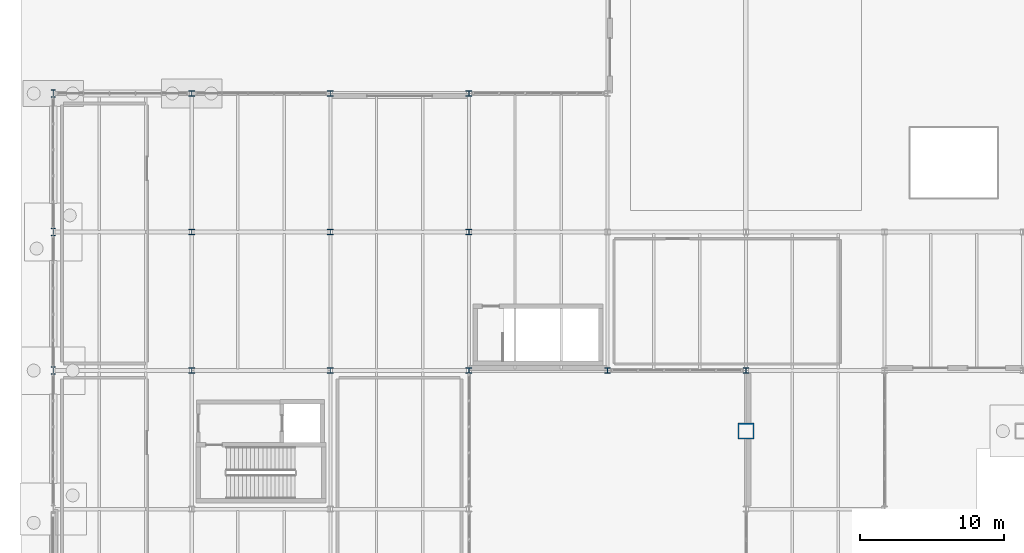
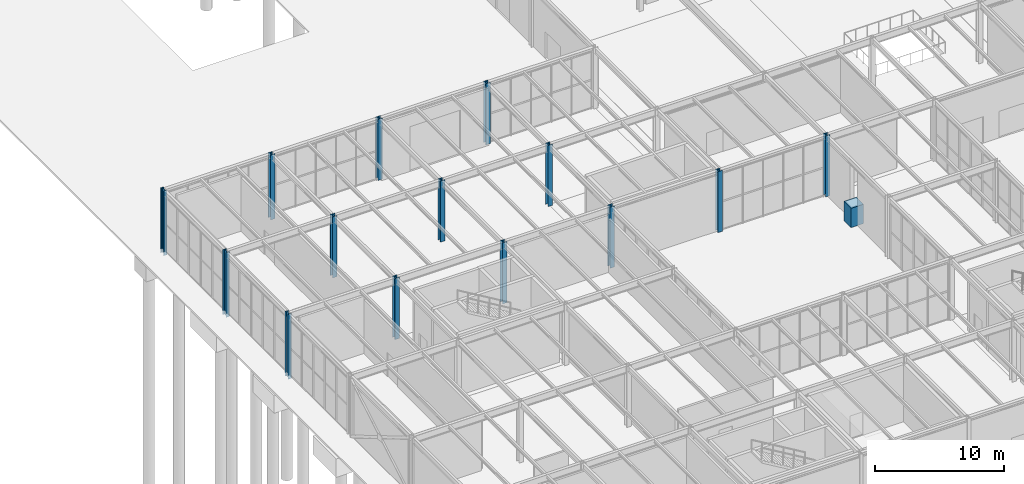
# One storey, part 9 of 142: 15 columns.
"""IFC4 building model written with IfcOpenShell, lengths in metres."""

from ifc_helpers import new_model, si_unit, direction, frame, origin, origin_2d, place, context, subcontext, project, spatial, rectangle, i_section, extrude, material, material_profile, profile_set, type_object, element, save


model = new_model("IFC4")

# Units and contexts
model_context = context("Model", 3, precision=1e-05, world=origin(), true_north=direction((0.0, 1.0)))
body_context = subcontext(model_context, "Body", "Model", "MODEL_VIEW")
ifc_project = project(units=[si_unit("LENGTHUNIT", "METRE"), si_unit("AREAUNIT", "SQUARE_METRE"), si_unit("VOLUMEUNIT", "CUBIC_METRE"), si_unit("PLANEANGLEUNIT", "RADIAN"), si_unit("MASSUNIT", "GRAM", prefix="KILO")], contexts=[model_context])

# Site, building, storey
site_placement = place(None, origin())
site = spatial("IfcSite", under=ifc_project, at=site_placement, CompositionType="ELEMENT")
building_placement = place(site_placement, origin())
building = spatial("IfcBuilding", under=site, at=building_placement, Name="Coralgate Yard Interchange", CompositionType="ELEMENT")
storey_placement = place(building_placement, origin())
storey = spatial("IfcBuildingStorey", under=building, at=storey_placement, Name="L00", CompositionType="ELEMENT", Elevation=0.0)

# Columns
ifc_material_1 = material(Name="Concrete C40/50", Category="concrete")
ifc_material_profile_1 = material_profile(ifc_material_1, rectangle(XDim=1.10009765625, YDim=1.10009765625, at=origin_2d()), Name="RC 1100x1100")
ifc_profile_set_1 = profile_set([ifc_material_profile_1], Name="Concrete C40/50")
column_type_1 = type_object("IfcColumnType", Name="COL-CC-1", PredefinedType="COLUMN", material=ifc_profile_set_1)
column_1_placement = place(storey_placement, frame((48.0, 34.199951171875, 0.0), z_axis=(0.0, 0.0, 1.0), x_axis=(1.0, 0.0, 0.0)))
element("IfcColumn", 1, at=column_1_placement, inside=storey, type_object=column_type_1, Name="Arch AR-1 S concrete thrust pedestal", PredefinedType="COLUMN", context=body_context, shape_type="SweptSolid", body=[
    extrude(rectangle(XDim=1.10009765625, YDim=1.10009765625, at=origin_2d()), origin(), (0.0, 0.0, 1.0), 1.820068359375),
])
ifc_material_2 = material(Name="Structural steel S355J2", Category="steel")
ifc_material_profile_2 = material_profile(ifc_material_2, i_section(OverallWidth=0.39892578125, OverallDepth=0.3935546875, WebThickness=0.022705078125, FlangeThickness=0.03662109375, FilletRadius=0.01513671875, at=origin_2d()), Name="UC 356x406x287")
ifc_profile_set_2 = profile_set([ifc_material_profile_2], Name="Structural steel S355J2")
column_type_2 = type_object("IfcColumnType", Name="COL-SC-1", PredefinedType="COLUMN", material=ifc_profile_set_2)
for number, where, z_axis, x_axis, name in (
    (2, (9.60009765625, 38.39990234375, 0.0), (0.0, 0.0, 1.0), (1.0, 0.0, 0.0), "L00 structural column 1-4"),
    (3, (9.60009765625, 48.0, 0.0), (0.0, 0.0, 1.0), (1.0, 0.0, 0.0), "L00 structural column 1-5"),
):
    element("IfcColumn", number, at=place(storey_placement, frame(where, z_axis=z_axis, x_axis=x_axis)), inside=storey, type_object=column_type_2, Name=name, PredefinedType="COLUMN", context=body_context, shape_type="SweptSolid", body=[
        extrude(i_section(OverallWidth=0.39892578125, OverallDepth=0.3935546875, WebThickness=0.022705078125, FlangeThickness=0.03662109375, FilletRadius=0.01513671875, at=origin_2d()), origin(), (0.0, 0.0, 1.0), 5.75),
    ])
column_2_placement = place(storey_placement, frame((9.60009765625, 57.60009765625, -0.360107421875), z_axis=(0.0, 0.0, 1.0), x_axis=(1.0, 0.0, 0.0)))
element("IfcColumn", 4, at=column_2_placement, inside=storey, type_object=column_type_2, Name="L00 structural column 1-6", PredefinedType="COLUMN", context=body_context, shape_type="SweptSolid", body=[
    extrude(i_section(OverallWidth=0.39892578125, OverallDepth=0.3935546875, WebThickness=0.022705078125, FlangeThickness=0.03662109375, FilletRadius=0.01513671875, at=origin_2d()), origin(), (0.0, 0.0, 1.0), 6.110107421875),
])
for number, where, z_axis, x_axis, name in (
    (5, (19.199951171875, 38.39990234375, 0.0), (0.0, 0.0, 1.0), (1.0, 0.0, 0.0), "L00 structural column 2-4"),
    (6, (19.199951171875, 48.0, 0.0), (0.0, 0.0, 1.0), (1.0, 0.0, 0.0), "L00 structural column 2-5"),
    (7, (19.199951171875, 57.60009765625, 0.0), (0.0, 0.0, 1.0), (1.0, 0.0, 0.0), "L00 structural column 2-6"),
    (8, (28.800048828125, 38.39990234375, 0.0), (0.0, 0.0, 1.0), (1.0, 0.0, 0.0), "L00 structural column 3-4"),
    (9, (28.800048828125, 48.0, 0.0), (0.0, 0.0, 1.0), (1.0, 0.0, 0.0), "L00 structural column 3-5"),
    (10, (28.800048828125, 57.60009765625, 0.0), (0.0, 0.0, 1.0), (1.0, 0.0, 0.0), "L00 structural column 3-6"),
    (11, (38.39990234375, 38.39990234375, 0.0), (0.0, 0.0, 1.0), (1.0, 0.0, 0.0), "L00 structural column 4-4"),
    (12, (48.0, 38.39990234375, 0.0), (0.0, 0.0, 1.0), (1.0, 0.0, 0.0), "L00 structural column 5-4"),
):
    element("IfcColumn", number, at=place(storey_placement, frame(where, z_axis=z_axis, x_axis=x_axis)), inside=storey, type_object=column_type_2, Name=name, PredefinedType="COLUMN", context=body_context, shape_type="SweptSolid", body=[
        extrude(i_section(OverallWidth=0.39892578125, OverallDepth=0.3935546875, WebThickness=0.022705078125, FlangeThickness=0.03662109375, FilletRadius=0.01513671875, at=origin_2d()), origin(), (0.0, 0.0, 1.0), 5.75),
    ])
ifc_material_profile_3 = material_profile(ifc_material_2, i_section(OverallWidth=0.300048828125, OverallDepth=0.5, WebThickness=0.014404296875, FlangeThickness=0.028076171875, FilletRadius=0.027099609375, at=origin_2d()), Name="HEB 500")
ifc_profile_set_3 = profile_set([ifc_material_profile_3], Name="Structural steel S355J2")
column_type_3 = type_object("IfcColumnType", Name="COL-SC-10", PredefinedType="COLUMN", material=ifc_profile_set_3)
for number, where, z_axis, x_axis, name in (
    (13, (0.0, 38.39990234375, -0.360107421875), (0.0, 0.0, 1.0), (1.0, 0.0, 0.0), "L00 structural column 0-4"),
    (14, (0.0, 48.0, -0.360107421875), (0.0, 0.0, 1.0), (1.0, 0.0, 0.0), "L00 structural column 0-5"),
    (15, (0.0, 57.60009765625, -0.360107421875), (0.0, 0.0, 1.0), (1.0, 0.0, 0.0), "L00 structural column 0-6"),
):
    element("IfcColumn", number, at=place(storey_placement, frame(where, z_axis=z_axis, x_axis=x_axis)), inside=storey, type_object=column_type_3, Name=name, PredefinedType="COLUMN", context=body_context, shape_type="SweptSolid", body=[
        extrude(i_section(OverallWidth=0.300048828125, OverallDepth=0.5, WebThickness=0.014404296875, FlangeThickness=0.028076171875, FilletRadius=0.027099609375, at=origin_2d()), origin(), (0.0, 0.0, 1.0), 6.110107421875),
    ])

save(model, "model.ifc")
